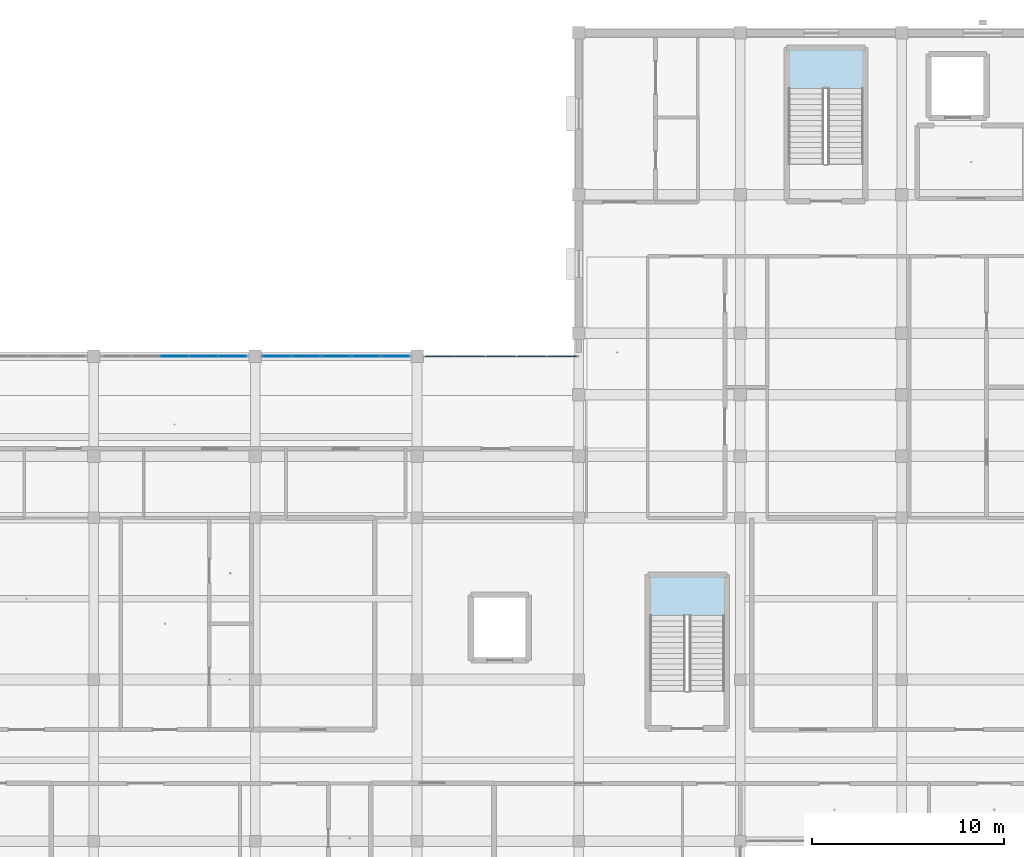
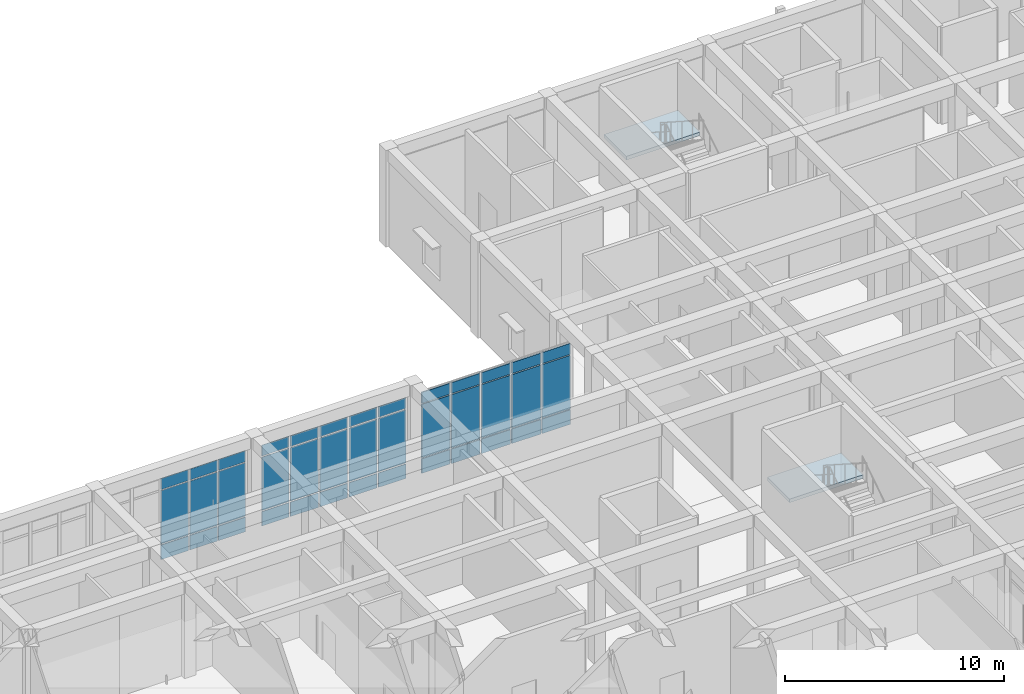
# One storey, part 71 of 157: 39 plates, 2 slabs, 5 elements without a shape of their own.
"""IFC4 building model written with IfcOpenShell, lengths in metres."""

from ifc_helpers import new_model, si_unit, direction, frame, origin, origin_2d, place, context, subcontext, project, spatial, polyline, rectangle, outline, extrude, material, layer, layer_set, type_object, element, aggregate, save


model = new_model("IFC4")

# Units and contexts
model_context = context("Model", 3, precision=1e-05, world=origin(), true_north=direction((0.0, 1.0)))
body_context = subcontext(model_context, "Body", "Model", "MODEL_VIEW")
ifc_project = project(units=[si_unit("LENGTHUNIT", "METRE"), si_unit("AREAUNIT", "SQUARE_METRE"), si_unit("VOLUMEUNIT", "CUBIC_METRE"), si_unit("PLANEANGLEUNIT", "RADIAN"), si_unit("MASSUNIT", "GRAM", prefix="KILO")], contexts=[model_context])

# Site, building, storey
site_placement = place(None, origin())
site = spatial("IfcSite", under=ifc_project, at=site_placement, CompositionType="ELEMENT")
building_placement = place(site_placement, origin())
building = spatial("IfcBuilding", under=site, at=building_placement, Name="Varncliffe General Hospital", CompositionType="ELEMENT")
storey_placement = place(building_placement, frame((0.0, 0.0, 5.39990234375)))
storey = spatial("IfcBuildingStorey", under=building, at=storey_placement, Name="L01", CompositionType="ELEMENT", Elevation=5.39990234375)

# Curtain wall, plates
ifc_material_1 = material(Name="Triple low-E argon insulated vision glazing", Category="glass")
curtain_wall_type_1 = type_object("IfcCurtainWallType", Name="Unitised Glazed Curtain Wall CW26 (7594x4640)", PredefinedType="USERDEFINED", material=ifc_material_1)
curtain_wall_1_placement = place(storey_placement, origin())
curtain_wall_1 = element("IfcCurtainWall", 1, at=curtain_wall_1_placement, inside=storey, type_object=curtain_wall_type_1, Name="L01 Glazed Curtain Wall CW26-41", ObjectType="GLAZED CURTAIN WALL", PredefinedType="USERDEFINED")
ifc_layer_1 = layer(ifc_material_1, 0.0439453125)
ifc_layer_set_1 = layer_set([ifc_layer_1], Name="Triple low-E argon insulated vision glazing")
plate_type_1 = type_object("IfcPlateType", Name="Curtain Wall Glazing Panel CP12 (44mm)", PredefinedType="CURTAIN_PANEL", material=ifc_layer_set_1)
plate_1_placement = place(storey_placement, frame((88.199951171875, 108.0, 0.06005859375), z_axis=(0.0, 0.0, 1.0), x_axis=(1.0, 0.0, 0.0)))
plate_1 = element("IfcPlate", 2, at=plate_1_placement, type_object=plate_type_1, Name="CW26 panel 3.1", PredefinedType="CURTAIN_PANEL", context=body_context, shape_type="SweptSolid", body=[
    extrude(rectangle(XDim=1.453857421875, YDim=0.0439453125, at=origin_2d()), origin(), (0.0, 0.0, 1.0), 0.81005859375),
])
plate_2_placement = place(storey_placement, frame((88.199951171875, 108.0, 0.93017578125), z_axis=(0.0, 0.0, 1.0), x_axis=(1.0, 0.0, 0.0)))
plate_2 = element("IfcPlate", 3, at=plate_2_placement, type_object=plate_type_1, Name="CW26 panel 3.2", PredefinedType="CURTAIN_PANEL", context=body_context, shape_type="SweptSolid", body=[
    extrude(rectangle(XDim=1.453857421875, YDim=0.0439453125, at=origin_2d()), origin(), (0.0, 0.0, 1.0), 2.97998046875),
])
plate_3_placement = place(storey_placement, frame((88.199951171875, 108.0, 3.97021484375), z_axis=(0.0, 0.0, 1.0), x_axis=(1.0, 0.0, 0.0)))
plate_3 = element("IfcPlate", 4, at=plate_3_placement, type_object=plate_type_1, Name="CW26 panel 3.3", PredefinedType="CURTAIN_PANEL", context=body_context, shape_type="SweptSolid", body=[
    extrude(rectangle(XDim=1.453857421875, YDim=0.0439453125, at=origin_2d()), origin(), (0.0, 0.0, 1.0), 0.610107421875),
])
plate_4_placement = place(storey_placement, frame((89.71875, 108.0, 0.06005859375), z_axis=(0.0, 0.0, 1.0), x_axis=(1.0, 0.0, 0.0)))
plate_4 = element("IfcPlate", 5, at=plate_4_placement, type_object=plate_type_1, Name="CW26 panel 4.1", PredefinedType="CURTAIN_PANEL", context=body_context, shape_type="SweptSolid", body=[
    extrude(rectangle(XDim=1.453857421875, YDim=0.0439453125, at=origin_2d()), origin(), (0.0, 0.0, 1.0), 0.81005859375),
])
plate_5_placement = place(storey_placement, frame((89.71875, 108.0, 0.93017578125), z_axis=(0.0, 0.0, 1.0), x_axis=(1.0, 0.0, 0.0)))
plate_5 = element("IfcPlate", 6, at=plate_5_placement, type_object=plate_type_1, Name="CW26 panel 4.2", PredefinedType="CURTAIN_PANEL", context=body_context, shape_type="SweptSolid", body=[
    extrude(rectangle(XDim=1.453857421875, YDim=0.0439453125, at=origin_2d()), origin(), (0.0, 0.0, 1.0), 2.97998046875),
])
plate_6_placement = place(storey_placement, frame((89.71875, 108.0, 3.97021484375), z_axis=(0.0, 0.0, 1.0), x_axis=(1.0, 0.0, 0.0)))
plate_6 = element("IfcPlate", 7, at=plate_6_placement, type_object=plate_type_1, Name="CW26 panel 4.3", PredefinedType="CURTAIN_PANEL", context=body_context, shape_type="SweptSolid", body=[
    extrude(rectangle(XDim=1.453857421875, YDim=0.0439453125, at=origin_2d()), origin(), (0.0, 0.0, 1.0), 0.610107421875),
])
plate_7_placement = place(storey_placement, frame((91.221435546875, 108.0, 0.06005859375), z_axis=(0.0, 0.0, 1.0), x_axis=(1.0, 0.0, 0.0)))
plate_7 = element("IfcPlate", 8, at=plate_7_placement, type_object=plate_type_1, Name="CW26 panel 5.1", PredefinedType="CURTAIN_PANEL", context=body_context, shape_type="SweptSolid", body=[
    extrude(rectangle(XDim=1.42138671875, YDim=0.0439453125, at=origin_2d()), origin(), (0.0, 0.0, 1.0), 0.81005859375),
])
plate_8_placement = place(storey_placement, frame((91.221435546875, 108.0, 0.93017578125), z_axis=(0.0, 0.0, 1.0), x_axis=(1.0, 0.0, 0.0)))
plate_8 = element("IfcPlate", 9, at=plate_8_placement, type_object=plate_type_1, Name="CW26 panel 5.2", PredefinedType="CURTAIN_PANEL", context=body_context, shape_type="SweptSolid", body=[
    extrude(rectangle(XDim=1.42138671875, YDim=0.0439453125, at=origin_2d()), origin(), (0.0, 0.0, 1.0), 2.97998046875),
])
plate_9_placement = place(storey_placement, frame((91.221435546875, 108.0, 3.97021484375), z_axis=(0.0, 0.0, 1.0), x_axis=(1.0, 0.0, 0.0)))
plate_9 = element("IfcPlate", 10, at=plate_9_placement, type_object=plate_type_1, Name="CW26 panel 5.3", PredefinedType="CURTAIN_PANEL", context=body_context, shape_type="SweptSolid", body=[
    extrude(rectangle(XDim=1.42138671875, YDim=0.0439453125, at=origin_2d()), origin(), (0.0, 0.0, 1.0), 0.610107421875),
])
aggregate(curtain_wall_1, [plate_1, plate_2, plate_3, plate_4, plate_5, plate_6, plate_7, plate_8, plate_9])

curtain_wall_type_2 = type_object("IfcCurtainWallType", Name="Unitised Glazed Curtain Wall CW65 (7997x4640)", PredefinedType="USERDEFINED", material=ifc_material_1)
curtain_wall_2_placement = place(storey_placement, origin())
curtain_wall_2 = element("IfcCurtainWall", 11, at=curtain_wall_2_placement, inside=storey, type_object=curtain_wall_type_2, Name="L01 Glazed Curtain Wall CW65-43", ObjectType="GLAZED CURTAIN WALL", PredefinedType="USERDEFINED")
ifc_material_2 = material(Name="Insulated ceramic-fritted spandrel glazing panel", Category="glass")
ifc_layer_2 = layer(ifc_material_2, 0.06396484375)
ifc_layer_set_2 = layer_set([ifc_layer_2], Name="Insulated ceramic-fritted spandrel glazing panel")
plate_type_2 = type_object("IfcPlateType", Name="Curtain Wall Glazing Panel CP41 (64mm)", PredefinedType="CURTAIN_PANEL", material=ifc_layer_set_2)
plate_10_placement = place(storey_placement, frame((101.9814453125, 108.0, 0.06005859375), z_axis=(0.0, 0.0, 1.0), x_axis=(1.0, 0.0, 0.0)))
plate_10 = element("IfcPlate", 12, at=plate_10_placement, type_object=plate_type_2, Name="CW65 panel 1.1", PredefinedType="CURTAIN_PANEL", context=body_context, shape_type="SweptSolid", body=[
    extrude(rectangle(XDim=1.48681640625, YDim=0.06396484375, at=origin_2d()), origin(), (0.0, 0.0, 1.0), 0.81005859375),
])
plate_11_placement = place(storey_placement, frame((101.9814453125, 108.0, 0.93017578125), z_axis=(0.0, 0.0, 1.0), x_axis=(1.0, 0.0, 0.0)))
plate_11 = element("IfcPlate", 13, at=plate_11_placement, type_object=plate_type_2, Name="CW65 panel 1.2", PredefinedType="CURTAIN_PANEL", context=body_context, shape_type="SweptSolid", body=[
    extrude(rectangle(XDim=1.48681640625, YDim=0.06396484375, at=origin_2d()), origin(), (0.0, 0.0, 1.0), 2.97998046875),
])
plate_12_placement = place(storey_placement, frame((101.9814453125, 108.0, 3.97021484375), z_axis=(0.0, 0.0, 1.0), x_axis=(1.0, 0.0, 0.0)))
plate_12 = element("IfcPlate", 14, at=plate_12_placement, type_object=plate_type_2, Name="CW65 panel 1.3", PredefinedType="CURTAIN_PANEL", context=body_context, shape_type="SweptSolid", body=[
    extrude(rectangle(XDim=1.48681640625, YDim=0.06396484375, at=origin_2d()), origin(), (0.0, 0.0, 1.0), 0.610107421875),
])
plate_13_placement = place(storey_placement, frame((103.56201171875, 108.0, 0.06005859375), z_axis=(0.0, 0.0, 1.0), x_axis=(1.0, 0.0, 0.0)))
plate_13 = element("IfcPlate", 15, at=plate_13_placement, type_object=plate_type_2, Name="CW65 panel 2.1", PredefinedType="CURTAIN_PANEL", context=body_context, shape_type="SweptSolid", body=[
    extrude(rectangle(XDim=1.5244140625, YDim=0.06396484375, at=origin_2d()), origin(), (0.0, 0.0, 1.0), 0.81005859375),
])
plate_14_placement = place(storey_placement, frame((103.56201171875, 108.0, 0.93017578125), z_axis=(0.0, 0.0, 1.0), x_axis=(1.0, 0.0, 0.0)))
plate_14 = element("IfcPlate", 16, at=plate_14_placement, type_object=plate_type_2, Name="CW65 panel 2.2", PredefinedType="CURTAIN_PANEL", context=body_context, shape_type="SweptSolid", body=[
    extrude(rectangle(XDim=1.5244140625, YDim=0.06396484375, at=origin_2d()), origin(), (0.0, 0.0, 1.0), 2.97998046875),
])
plate_15_placement = place(storey_placement, frame((103.56201171875, 108.0, 3.97021484375), z_axis=(0.0, 0.0, 1.0), x_axis=(1.0, 0.0, 0.0)))
plate_15 = element("IfcPlate", 17, at=plate_15_placement, type_object=plate_type_2, Name="CW65 panel 2.3", PredefinedType="CURTAIN_PANEL", context=body_context, shape_type="SweptSolid", body=[
    extrude(rectangle(XDim=1.5244140625, YDim=0.06396484375, at=origin_2d()), origin(), (0.0, 0.0, 1.0), 0.610107421875),
])
plate_16_placement = place(storey_placement, frame((105.16162109375, 108.0, 0.06005859375), z_axis=(0.0, 0.0, 1.0), x_axis=(1.0, 0.0, 0.0)))
plate_16 = element("IfcPlate", 18, at=plate_16_placement, type_object=plate_type_2, Name="CW65 panel 3.1", PredefinedType="CURTAIN_PANEL", context=body_context, shape_type="SweptSolid", body=[
    extrude(rectangle(XDim=1.5244140625, YDim=0.06396484375, at=origin_2d()), origin(), (0.0, 0.0, 1.0), 0.81005859375),
])
plate_17_placement = place(storey_placement, frame((105.16162109375, 108.0, 0.93017578125), z_axis=(0.0, 0.0, 1.0), x_axis=(1.0, 0.0, 0.0)))
plate_17 = element("IfcPlate", 19, at=plate_17_placement, type_object=plate_type_2, Name="CW65 panel 3.2", PredefinedType="CURTAIN_PANEL", context=body_context, shape_type="SweptSolid", body=[
    extrude(rectangle(XDim=1.5244140625, YDim=0.06396484375, at=origin_2d()), origin(), (0.0, 0.0, 1.0), 2.97998046875),
])
plate_18_placement = place(storey_placement, frame((105.16162109375, 108.0, 3.97021484375), z_axis=(0.0, 0.0, 1.0), x_axis=(1.0, 0.0, 0.0)))
plate_18 = element("IfcPlate", 20, at=plate_18_placement, type_object=plate_type_2, Name="CW65 panel 3.3", PredefinedType="CURTAIN_PANEL", context=body_context, shape_type="SweptSolid", body=[
    extrude(rectangle(XDim=1.5244140625, YDim=0.06396484375, at=origin_2d()), origin(), (0.0, 0.0, 1.0), 0.610107421875),
])
plate_19_placement = place(storey_placement, frame((106.760986328125, 108.0, 0.06005859375), z_axis=(0.0, 0.0, 1.0), x_axis=(1.0, 0.0, 0.0)))
plate_19 = element("IfcPlate", 21, at=plate_19_placement, type_object=plate_type_2, Name="CW65 panel 4.1", PredefinedType="CURTAIN_PANEL", context=body_context, shape_type="SweptSolid", body=[
    extrude(rectangle(XDim=1.5244140625, YDim=0.06396484375, at=origin_2d()), origin(), (0.0, 0.0, 1.0), 0.81005859375),
])
plate_20_placement = place(storey_placement, frame((106.760986328125, 108.0, 0.93017578125), z_axis=(0.0, 0.0, 1.0), x_axis=(1.0, 0.0, 0.0)))
plate_20 = element("IfcPlate", 22, at=plate_20_placement, type_object=plate_type_2, Name="CW65 panel 4.2", PredefinedType="CURTAIN_PANEL", context=body_context, shape_type="SweptSolid", body=[
    extrude(rectangle(XDim=1.5244140625, YDim=0.06396484375, at=origin_2d()), origin(), (0.0, 0.0, 1.0), 2.97998046875),
])
plate_21_placement = place(storey_placement, frame((106.760986328125, 108.0, 3.97021484375), z_axis=(0.0, 0.0, 1.0), x_axis=(1.0, 0.0, 0.0)))
plate_21 = element("IfcPlate", 23, at=plate_21_placement, type_object=plate_type_2, Name="CW65 panel 4.3", PredefinedType="CURTAIN_PANEL", context=body_context, shape_type="SweptSolid", body=[
    extrude(rectangle(XDim=1.5244140625, YDim=0.06396484375, at=origin_2d()), origin(), (0.0, 0.0, 1.0), 0.610107421875),
])
plate_22_placement = place(storey_placement, frame((108.341552734375, 108.0, 0.06005859375), z_axis=(0.0, 0.0, 1.0), x_axis=(1.0, 0.0, 0.0)))
plate_22 = element("IfcPlate", 24, at=plate_22_placement, type_object=plate_type_2, Name="CW65 panel 5.1", PredefinedType="CURTAIN_PANEL", context=body_context, shape_type="SweptSolid", body=[
    extrude(rectangle(XDim=1.48681640625, YDim=0.06396484375, at=origin_2d()), origin(), (0.0, 0.0, 1.0), 0.81005859375),
])
plate_23_placement = place(storey_placement, frame((108.341552734375, 108.0, 0.93017578125), z_axis=(0.0, 0.0, 1.0), x_axis=(1.0, 0.0, 0.0)))
plate_23 = element("IfcPlate", 25, at=plate_23_placement, type_object=plate_type_2, Name="CW65 panel 5.2", PredefinedType="CURTAIN_PANEL", context=body_context, shape_type="SweptSolid", body=[
    extrude(rectangle(XDim=1.48681640625, YDim=0.06396484375, at=origin_2d()), origin(), (0.0, 0.0, 1.0), 2.97998046875),
])
plate_24_placement = place(storey_placement, frame((108.341552734375, 108.0, 3.97021484375), z_axis=(0.0, 0.0, 1.0), x_axis=(1.0, 0.0, 0.0)))
plate_24 = element("IfcPlate", 26, at=plate_24_placement, type_object=plate_type_2, Name="CW65 panel 5.3", PredefinedType="CURTAIN_PANEL", context=body_context, shape_type="SweptSolid", body=[
    extrude(rectangle(XDim=1.48681640625, YDim=0.06396484375, at=origin_2d()), origin(), (0.0, 0.0, 1.0), 0.610107421875),
])
aggregate(curtain_wall_2, [plate_10, plate_11, plate_12, plate_13, plate_14, plate_15, plate_16, plate_17, plate_18, plate_19, plate_20, plate_21, plate_22, plate_23, plate_24])

curtain_wall_type_3 = type_object("IfcCurtainWallType", Name="Unitised Glazed Curtain Wall CW66 (7754x4640)", PredefinedType="USERDEFINED", material=ifc_material_1)
curtain_wall_3_placement = place(storey_placement, origin())
curtain_wall_3 = element("IfcCurtainWall", 27, at=curtain_wall_3_placement, inside=storey, type_object=curtain_wall_type_3, Name="L01 Glazed Curtain Wall CW66-42", ObjectType="GLAZED CURTAIN WALL", PredefinedType="USERDEFINED")
ifc_layer_3 = layer(ifc_material_1, 0.028076171875)
ifc_layer_set_3 = layer_set([ifc_layer_3], Name="Triple low-E argon insulated vision glazing")
plate_type_3 = type_object("IfcPlateType", Name="Curtain Wall Glazing Panel CP48 (28mm)", PredefinedType="CURTAIN_PANEL", material=ifc_layer_set_3)
plate_25_placement = place(storey_placement, frame((93.51708984375, 108.0, 0.06494140625), z_axis=(0.0, 0.0, 1.0), x_axis=(1.0, 0.0, 0.0)))
plate_25 = element("IfcPlate", 28, at=plate_25_placement, type_object=plate_type_3, Name="CW66 panel 1.1", PredefinedType="CURTAIN_PANEL", context=body_context, shape_type="SweptSolid", body=[
    extrude(rectangle(XDim=1.438232421875, YDim=0.028076171875, at=origin_2d()), origin(), (0.0, 0.0, 1.0), 0.802490234375),
])
plate_26_placement = place(storey_placement, frame((93.51708984375, 108.0, 0.9326171875), z_axis=(0.0, 0.0, 1.0), x_axis=(1.0, 0.0, 0.0)))
plate_26 = element("IfcPlate", 29, at=plate_26_placement, type_object=plate_type_3, Name="CW66 panel 1.2", PredefinedType="CURTAIN_PANEL", context=body_context, shape_type="SweptSolid", body=[
    extrude(rectangle(XDim=1.438232421875, YDim=0.028076171875, at=origin_2d()), origin(), (0.0, 0.0, 1.0), 2.97509765625),
])
plate_27_placement = place(storey_placement, frame((93.51708984375, 108.0, 3.97265625), z_axis=(0.0, 0.0, 1.0), x_axis=(1.0, 0.0, 0.0)))
plate_27 = element("IfcPlate", 30, at=plate_27_placement, type_object=plate_type_3, Name="CW66 panel 1.3", PredefinedType="CURTAIN_PANEL", context=body_context, shape_type="SweptSolid", body=[
    extrude(rectangle(XDim=1.438232421875, YDim=0.028076171875, at=origin_2d()), origin(), (0.0, 0.0, 1.0), 0.6025390625),
])
plate_28_placement = place(storey_placement, frame((95.04931640625, 108.0, 0.06494140625), z_axis=(0.0, 0.0, 1.0), x_axis=(1.0, 0.0, 0.0)))
plate_28 = element("IfcPlate", 31, at=plate_28_placement, type_object=plate_type_3, Name="CW66 panel 2.1", PredefinedType="CURTAIN_PANEL", context=body_context, shape_type="SweptSolid", body=[
    extrude(rectangle(XDim=1.475830078125, YDim=0.028076171875, at=origin_2d()), origin(), (0.0, 0.0, 1.0), 0.802490234375),
])
plate_29_placement = place(storey_placement, frame((95.04931640625, 108.0, 0.9326171875), z_axis=(0.0, 0.0, 1.0), x_axis=(1.0, 0.0, 0.0)))
plate_29 = element("IfcPlate", 32, at=plate_29_placement, type_object=plate_type_3, Name="CW66 panel 2.2", PredefinedType="CURTAIN_PANEL", context=body_context, shape_type="SweptSolid", body=[
    extrude(rectangle(XDim=1.475830078125, YDim=0.028076171875, at=origin_2d()), origin(), (0.0, 0.0, 1.0), 2.97509765625),
])
plate_30_placement = place(storey_placement, frame((95.04931640625, 108.0, 3.97265625), z_axis=(0.0, 0.0, 1.0), x_axis=(1.0, 0.0, 0.0)))
plate_30 = element("IfcPlate", 33, at=plate_30_placement, type_object=plate_type_3, Name="CW66 panel 2.3", PredefinedType="CURTAIN_PANEL", context=body_context, shape_type="SweptSolid", body=[
    extrude(rectangle(XDim=1.475830078125, YDim=0.028076171875, at=origin_2d()), origin(), (0.0, 0.0, 1.0), 0.6025390625),
])
plate_31_placement = place(storey_placement, frame((96.60009765625, 108.0, 0.06494140625), z_axis=(0.0, 0.0, 1.0), x_axis=(1.0, 0.0, 0.0)))
plate_31 = element("IfcPlate", 34, at=plate_31_placement, type_object=plate_type_3, Name="CW66 panel 3.1", PredefinedType="CURTAIN_PANEL", context=body_context, shape_type="SweptSolid", body=[
    extrude(rectangle(XDim=1.475830078125, YDim=0.028076171875, at=origin_2d()), origin(), (0.0, 0.0, 1.0), 0.802490234375),
])
plate_32_placement = place(storey_placement, frame((96.60009765625, 108.0, 0.9326171875), z_axis=(0.0, 0.0, 1.0), x_axis=(1.0, 0.0, 0.0)))
plate_32 = element("IfcPlate", 35, at=plate_32_placement, type_object=plate_type_3, Name="CW66 panel 3.2", PredefinedType="CURTAIN_PANEL", context=body_context, shape_type="SweptSolid", body=[
    extrude(rectangle(XDim=1.475830078125, YDim=0.028076171875, at=origin_2d()), origin(), (0.0, 0.0, 1.0), 2.97509765625),
])
plate_33_placement = place(storey_placement, frame((96.60009765625, 108.0, 3.97265625), z_axis=(0.0, 0.0, 1.0), x_axis=(1.0, 0.0, 0.0)))
plate_33 = element("IfcPlate", 36, at=plate_33_placement, type_object=plate_type_3, Name="CW66 panel 3.3", PredefinedType="CURTAIN_PANEL", context=body_context, shape_type="SweptSolid", body=[
    extrude(rectangle(XDim=1.475830078125, YDim=0.028076171875, at=origin_2d()), origin(), (0.0, 0.0, 1.0), 0.6025390625),
])
plate_34_placement = place(storey_placement, frame((98.15087890625, 108.0, 0.06494140625), z_axis=(0.0, 0.0, 1.0), x_axis=(1.0, 0.0, 0.0)))
plate_34 = element("IfcPlate", 37, at=plate_34_placement, type_object=plate_type_3, Name="CW66 panel 4.1", PredefinedType="CURTAIN_PANEL", context=body_context, shape_type="SweptSolid", body=[
    extrude(rectangle(XDim=1.475830078125, YDim=0.028076171875, at=origin_2d()), origin(), (0.0, 0.0, 1.0), 0.802490234375),
])
plate_35_placement = place(storey_placement, frame((98.15087890625, 108.0, 0.9326171875), z_axis=(0.0, 0.0, 1.0), x_axis=(1.0, 0.0, 0.0)))
plate_35 = element("IfcPlate", 38, at=plate_35_placement, type_object=plate_type_3, Name="CW66 panel 4.2", PredefinedType="CURTAIN_PANEL", context=body_context, shape_type="SweptSolid", body=[
    extrude(rectangle(XDim=1.475830078125, YDim=0.028076171875, at=origin_2d()), origin(), (0.0, 0.0, 1.0), 2.97509765625),
])
plate_36_placement = place(storey_placement, frame((98.15087890625, 108.0, 3.97265625), z_axis=(0.0, 0.0, 1.0), x_axis=(1.0, 0.0, 0.0)))
plate_36 = element("IfcPlate", 39, at=plate_36_placement, type_object=plate_type_3, Name="CW66 panel 4.3", PredefinedType="CURTAIN_PANEL", context=body_context, shape_type="SweptSolid", body=[
    extrude(rectangle(XDim=1.475830078125, YDim=0.028076171875, at=origin_2d()), origin(), (0.0, 0.0, 1.0), 0.6025390625),
])
plate_37_placement = place(storey_placement, frame((99.682861328125, 108.0, 0.06494140625), z_axis=(0.0, 0.0, 1.0), x_axis=(1.0, 0.0, 0.0)))
plate_37 = element("IfcPlate", 40, at=plate_37_placement, type_object=plate_type_3, Name="CW66 panel 5.1", PredefinedType="CURTAIN_PANEL", context=body_context, shape_type="SweptSolid", body=[
    extrude(rectangle(XDim=1.438232421875, YDim=0.028076171875, at=origin_2d()), origin(), (0.0, 0.0, 1.0), 0.802490234375),
])
plate_38_placement = place(storey_placement, frame((99.682861328125, 108.0, 0.9326171875), z_axis=(0.0, 0.0, 1.0), x_axis=(1.0, 0.0, 0.0)))
plate_38 = element("IfcPlate", 41, at=plate_38_placement, type_object=plate_type_3, Name="CW66 panel 5.2", PredefinedType="CURTAIN_PANEL", context=body_context, shape_type="SweptSolid", body=[
    extrude(rectangle(XDim=1.438232421875, YDim=0.028076171875, at=origin_2d()), origin(), (0.0, 0.0, 1.0), 2.97509765625),
])
plate_39_placement = place(storey_placement, frame((99.682861328125, 108.0, 3.97265625), z_axis=(0.0, 0.0, 1.0), x_axis=(1.0, 0.0, 0.0)))
plate_39 = element("IfcPlate", 42, at=plate_39_placement, type_object=plate_type_3, Name="CW66 panel 5.3", PredefinedType="CURTAIN_PANEL", context=body_context, shape_type="SweptSolid", body=[
    extrude(rectangle(XDim=1.438232421875, YDim=0.028076171875, at=origin_2d()), origin(), (0.0, 0.0, 1.0), 0.6025390625),
])
aggregate(curtain_wall_3, [plate_25, plate_26, plate_27, plate_28, plate_29, plate_30, plate_31, plate_32, plate_33, plate_34, plate_35, plate_36, plate_37, plate_38, plate_39])

# Stair, slab
ifc_material_3 = material(Name="Concrete C35/45 (CSA A23.1 35 MPa)", Category="concrete")
stair_type = type_object("IfcStairType", Name="Hospital Stair Assembly ST-T02 (1850w-5400h)", PredefinedType="TWO_STRAIGHT_RUN_STAIR", material=ifc_material_3)
stair_1_placement = place(storey_placement, origin())
stair_1 = element("IfcStair", 43, at=stair_1_placement, inside=storey, type_object=stair_type, Name="L01 North-East Ward Exit Stair 3", PredefinedType="TWO_STRAIGHT_RUN_STAIR")
ifc_layer_4 = layer(ifc_material_3, 0.199951171875)
ifc_layer_set_4 = layer_set([ifc_layer_4], Name="Concrete C35/45 (CSA A23.1 35 MPa)")
slab_type = type_object("IfcSlabType", Name="Reinforced Concrete Stair Landing LND50 (200mm)", PredefinedType="LANDING", material=ifc_layer_set_4)
slab_1_placement = place(storey_placement, frame((0.0, 0.0, 2.5)))
slab_1 = element("IfcSlab", 44, at=slab_1_placement, type_object=slab_type, Name="ST03 landing 1", PredefinedType="LANDING", context=body_context, shape_type="SweptSolid", body=[
    extrude(outline(polyline([(124.0, 121.919921875), (124.0, 123.949951171875), (120.10009765625, 123.949951171875), (120.10009765625, 121.919921875), (124.0, 121.919921875)])), origin(), (0.0, 0.0, 1.0), 0.2001953125),
])
aggregate(stair_1, [slab_1])

stair_2_placement = place(storey_placement, origin())
stair_2 = element("IfcStair", 45, at=stair_2_placement, inside=storey, type_object=stair_type, Name="L01 Surgical and Helipad Exit Stair 6", PredefinedType="TWO_STRAIGHT_RUN_STAIR")
slab_2_placement = place(storey_placement, frame((0.0, 0.0, 2.5)))
slab_2 = element("IfcSlab", 46, at=slab_2_placement, type_object=slab_type, Name="ST06 landing 1", PredefinedType="LANDING", context=body_context, shape_type="SweptSolid", body=[
    extrude(outline(polyline([(116.800048828125, 94.52001953125), (116.800048828125, 96.550048828125), (112.89990234375, 96.550048828125), (112.89990234375, 94.52001953125), (116.800048828125, 94.52001953125)])), origin(), (0.0, 0.0, 1.0), 0.2001953125),
])
aggregate(stair_2, [slab_2])

save(model, "model.ifc")
